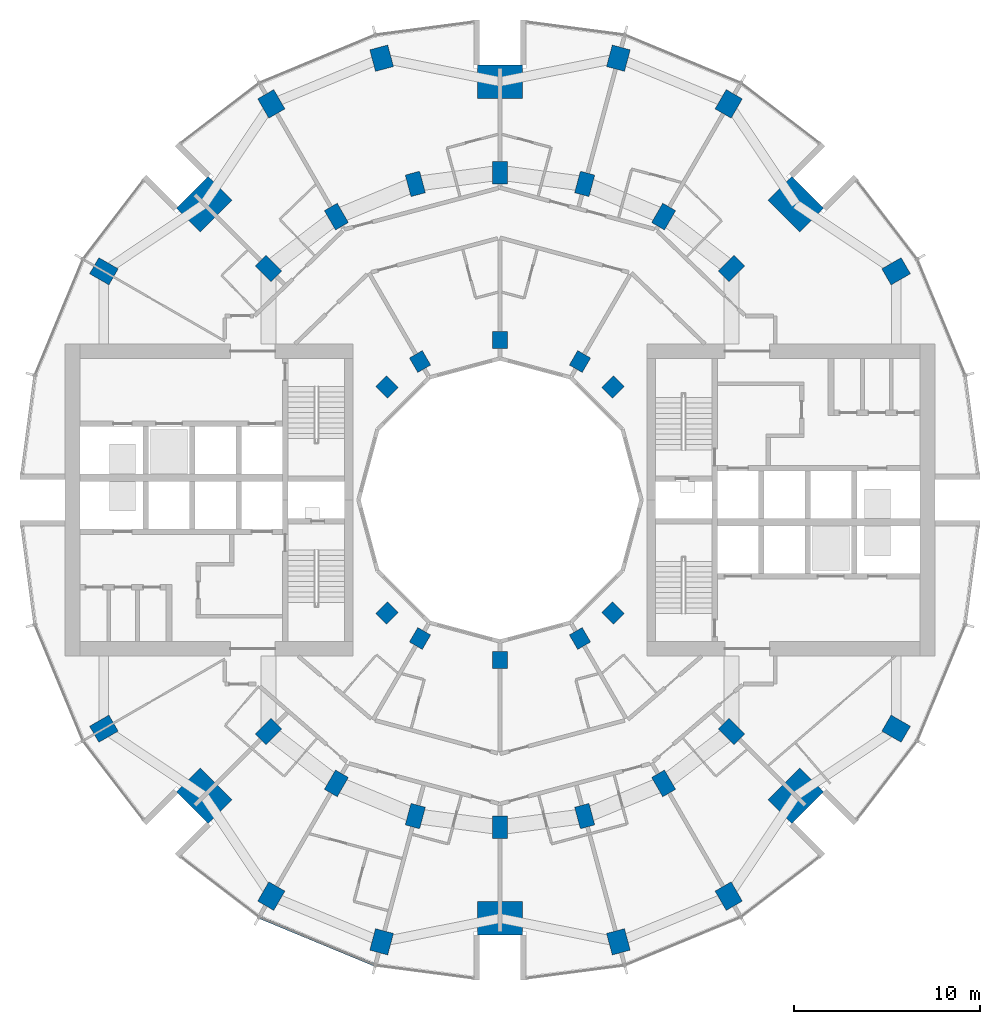
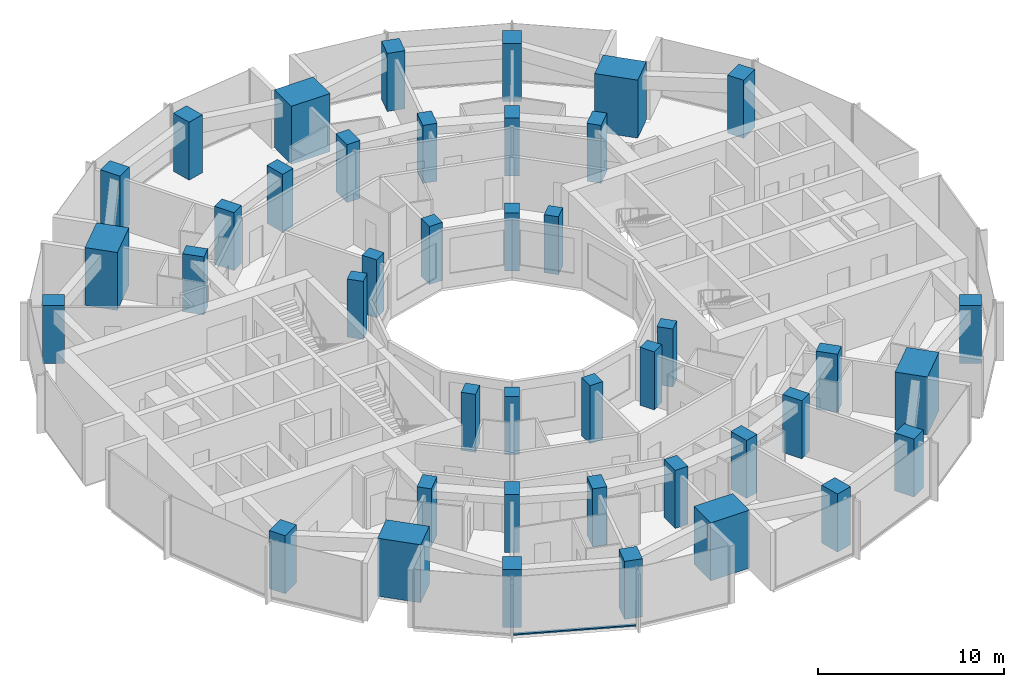
# One storey, part 1 of 15: 42 columns, 1 member, 1 element without a shape of its own.
"""IFC4 building model written with IfcOpenShell, lengths in metres."""

import ifcopenshell
import ifcopenshell.guid

model = None  # the IFC model being written
_history = None  # IfcOwnerHistory: only IFC2X3 demands one
_inside = {}  # id of a spatial element -> (the spatial element, [elements in it])
_under = {}  # id of a project, library or spatial element -> (it, [spatial elements below it])
_declared = {}  # id of a project -> (the project, [libraries it declares])
_typed = {}  # id of a type object -> (the type object, [elements of that type])
_made_of = {}  # id of a material, layer set ... -> (it, [elements and type objects made of it])


def new_model(schema):
    """Start an empty IFC model of exactly this schema.

    Asked for "IFC4X3", IfcOpenShell would pick the latest addendum, in which some entities
    have other attributes; the version numbers below select the first issue.
    IFC2X3 requires an IfcOwnerHistory on every rooted entity: one is made here for all.
    """
    global model, _history
    if schema == "IFC4X3":
        model = ifcopenshell.file(schema_version=(4, 3, 0, 0))
    else:
        model = ifcopenshell.file(schema=schema)
    _inside.clear()
    _under.clear()
    _declared.clear()
    _typed.clear()
    _made_of.clear()
    _history = None
    if model.schema == "IFC2X3":
        org = make("IfcOrganization", Name="unknown")
        user = make(
            "IfcPersonAndOrganization",
            ThePerson=make("IfcPerson", FamilyName="unknown"),
            TheOrganization=org,
        )
        app = make(
            "IfcApplication",
            ApplicationDeveloper=org,
            Version="unknown",
            ApplicationFullName="unknown",
            ApplicationIdentifier="unknown",
        )
        _history = make(
            "IfcOwnerHistory",
            OwningUser=user,
            OwningApplication=app,
            ChangeAction="ADDED",
            CreationDate=0,
        )
    return model


def make(cls, **values):
    """One entity of the class cls with the attributes given. An attribute that is None is left unset."""
    return model.create_entity(
        cls, **{name: value for name, value in values.items() if value is not None}
    )


def rooted(cls, **values):
    """An entity with a GlobalId (a new one), such as an element, a storey or a relation."""
    return make(cls, GlobalId=ifcopenshell.guid.new(), OwnerHistory=_history, **values)


def si_unit(unit_type, name, prefix=None):
    """IfcSIUnit, for example si_unit("LENGTHUNIT", "METRE", prefix="MILLI")."""
    return make("IfcSIUnit", UnitType=unit_type, Prefix=prefix, Name=name)


def assignment(units):
    """IfcUnitAssignment: the units of a project."""
    return None if units is None else make("IfcUnitAssignment", Units=units)


def point(xyz):
    """IfcCartesianPoint."""
    return None if xyz is None else make("IfcCartesianPoint", Coordinates=xyz)


def direction(xyz):
    """IfcDirection."""
    return None if xyz is None else make("IfcDirection", DirectionRatios=xyz)


def frame(location, z_axis=None, x_axis=None):
    """IfcAxis2Placement3D, a coordinate frame: its origin and axes. An axis left out is left unset."""
    return make(
        "IfcAxis2Placement3D",
        Location=point(location),
        Axis=direction(z_axis),
        RefDirection=direction(x_axis),
    )


def frame_2d(location, x_axis=None):
    """IfcAxis2Placement2D, a coordinate frame in the plane: its origin and x axis."""
    return make(
        "IfcAxis2Placement2D", Location=point(location), RefDirection=direction(x_axis)
    )


def origin():
    """The frame at (0, 0, 0) with its axes left unset."""
    return frame((0.0, 0.0, 0.0))


def origin_2d():
    """The frame at (0, 0) in the plane with its x axis left unset."""
    return frame_2d((0.0, 0.0))


def place(relative_to, where):
    """IfcLocalPlacement: puts the frame where relative to a parent placement (None: the world)."""
    return make(
        "IfcLocalPlacement", PlacementRelTo=relative_to, RelativePlacement=where
    )


def context(
    kind, dimensions, precision=None, world=None, true_north=None, identifier=None
):
    """IfcGeometricRepresentationContext, for example the 3D "Model" context."""
    return make(
        "IfcGeometricRepresentationContext",
        ContextIdentifier=identifier,
        ContextType=kind,
        CoordinateSpaceDimension=dimensions,
        Precision=precision,
        WorldCoordinateSystem=world,
        TrueNorth=true_north,
    )


def subcontext(parent, identifier, kind, view, scale=None):
    """IfcGeometricRepresentationSubContext, for example "Body" below "Model"."""
    return make(
        "IfcGeometricRepresentationSubContext",
        ContextIdentifier=identifier,
        ContextType=kind,
        ParentContext=parent,
        TargetScale=scale,
        TargetView=view,
    )


def project(units=None, contexts=None):
    """IfcProject with its units and contexts."""
    return rooted(
        "IfcProject",
        Name="project",
        RepresentationContexts=contexts,
        UnitsInContext=assignment(units),
    )


def spatial(cls, under=None, at=None, **own):
    """A site, building, storey or space (cls), placed at a placement, below another one or the project."""
    s = rooted(cls, ObjectPlacement=at, **own)
    if under is not None:
        _under.setdefault(under.id(), (under, []))[1].append(s)
    return s


def profile(cls, at=None, kind="AREA", **sizes):
    """A parametric profile (cls). Its sizes go by their IFC names, for example OverallWidth=200.0."""
    return make(cls, ProfileType=kind, Position=at, **sizes)


def rectangle(**sizes):
    """IfcRectangleProfileDef."""
    return profile("IfcRectangleProfileDef", **sizes)


def extrude(swept, where, along, depth):
    """IfcExtrudedAreaSolid: the profile swept, set in the frame where, extruded along a direction by depth."""
    return make(
        "IfcExtrudedAreaSolid",
        SweptArea=swept,
        Position=where,
        ExtrudedDirection=direction(along),
        Depth=depth,
    )


def shape(context_of_items, identifier, shape_type, items):
    """IfcShapeRepresentation: the items that make up one representation, for example the "Body"."""
    return make(
        "IfcShapeRepresentation",
        ContextOfItems=context_of_items,
        RepresentationIdentifier=identifier,
        RepresentationType=shape_type,
        Items=items,
    )


def material(Name=None, Category=None):
    """IfcMaterial."""
    return make("IfcMaterial", Name=Name, Category=Category)


def layer(
    of_material, thickness, ventilated=None, Name=None, Category=None, Priority=None
):
    """IfcMaterialLayer: one layer of a wall or slab, of a material (None: an air gap)."""
    return make(
        "IfcMaterialLayer",
        Material=of_material,
        LayerThickness=thickness,
        IsVentilated=ventilated,
        Name=Name,
        Category=Category,
        Priority=Priority,
    )


def layer_set(layers, Name=None):
    """IfcMaterialLayerSet."""
    return make("IfcMaterialLayerSet", MaterialLayers=layers, LayerSetName=Name)


def material_profile(
    of_material, cross_section, Name=None, Category=None, Priority=None
):
    """IfcMaterialProfile: a cross section and its material."""
    return make(
        "IfcMaterialProfile",
        Name=Name,
        Material=of_material,
        Profile=cross_section,
        Priority=Priority,
        Category=Category,
    )


def profile_set(profiles, Name=None, composite=None):
    """IfcMaterialProfileSet."""
    return make(
        "IfcMaterialProfileSet",
        Name=Name,
        MaterialProfiles=profiles,
        CompositeProfile=composite,
    )


def made_of(thing, what):
    """Note that an element or type object is made of a material, layer set ...; save() writes the relation."""
    if what is not None:
        _made_of.setdefault(what.id(), (what, []))[1].append(thing)
    return thing


def type_object(cls, material=None, **own):
    """A type object (cls), such as IfcWallType, which elements share."""
    return made_of(rooted(cls, **own), material)


def element(
    cls,
    number,
    at=None,
    inside=None,
    cuts=None,
    type_object=None,
    material=None,
    context=None,
    identifier="Body",
    shape_type=None,
    held_by="IfcProductDefinitionShape",
    body=None,
    shapes=None,
    **own,
):
    """One element of the class cls, such as IfcWall. Its Tag is "e" and its number.

    at: its placement. inside: the storey or other place that contains it. cuts: it is an
    opening in that element (IfcRelVoidsElement). A single representation is given by context,
    identifier, shape_type and body (its items); several are given by shapes. held_by: the class
    of the entity that holds the representations. save() writes the other relations.
    """
    e = rooted(cls, Tag="e%d" % number, ObjectPlacement=at, **own)
    if body is not None:
        shapes = [shape(context, identifier, shape_type, body)]
    if shapes is not None:
        e.Representation = make(held_by, Representations=shapes)
    if inside is not None:
        _inside.setdefault(inside.id(), (inside, []))[1].append(e)
    if cuts is not None:
        rooted(
            "IfcRelVoidsElement", RelatingBuildingElement=cuts, RelatedOpeningElement=e
        )
    if type_object is not None:
        _typed.setdefault(type_object.id(), (type_object, []))[1].append(e)
    return made_of(e, material)


def aggregate(whole, parts):
    """IfcRelAggregates: a whole, such as a stair, and the parts it consists of."""
    return rooted("IfcRelAggregates", RelatingObject=whole, RelatedObjects=parts)


def save(model, path):
    """Write the relations noted so far, then the file.

    IfcRelAggregates (storeys below a building ...), IfcRelContainedInSpatialStructure (elements
    in a storey), IfcRelDefinesByType, IfcRelAssociatesMaterial and IfcRelDeclares: one each for
    every whole, place, type object, material and project.
    """
    for whole, parts in _under.values():
        aggregate(whole, parts)
    for where, things in _inside.values():
        rooted(
            "IfcRelContainedInSpatialStructure",
            RelatedElements=things,
            RelatingStructure=where,
        )
    for kind, things in _typed.values():
        rooted("IfcRelDefinesByType", RelatedObjects=things, RelatingType=kind)
    for what, things in _made_of.values():
        rooted("IfcRelAssociatesMaterial", RelatedObjects=things, RelatingMaterial=what)
    for by, libraries in _declared.values():
        rooted("IfcRelDeclares", RelatingContext=by, RelatedDefinitions=libraries)
    model.write(path)


model = new_model("IFC4")

# Units and contexts
model_context = context("Model", 3, precision=1e-05, world=origin(), true_north=direction((0.0, 1.0)))
body_context = subcontext(model_context, "Body", "Model", "MODEL_VIEW")
ifc_project = project(units=[si_unit("LENGTHUNIT", "METRE"), si_unit("AREAUNIT", "SQUARE_METRE"), si_unit("VOLUMEUNIT", "CUBIC_METRE"), si_unit("PLANEANGLEUNIT", "RADIAN"), si_unit("MASSUNIT", "GRAM", prefix="KILO")], contexts=[model_context])

# Site, building, storey
site_placement = place(None, origin())
site = spatial("IfcSite", under=ifc_project, at=site_placement, CompositionType="ELEMENT")
building_placement = place(site_placement, origin())
building = spatial("IfcBuilding", under=site, at=building_placement, Name="Torre Brocal", CompositionType="ELEMENT")
storey_placement = place(building_placement, frame((0.0, 0.0, 59.199951171875)))
storey = spatial("IfcBuildingStorey", under=building, at=storey_placement, Name="L13", CompositionType="ELEMENT", Elevation=59.199951171875)

# Columns
ifc_material_1 = material(Name="Concrete C80", Category="concrete")
ifc_material_profile_1 = material_profile(ifc_material_1, rectangle(XDim=1.199951171875, YDim=1.0, at=origin_2d()), Name="RC 1200X1000")
ifc_profile_set_1 = profile_set([ifc_material_profile_1], Name="Concrete C80")
column_type_1 = type_object("IfcColumnType", Name="RC COLUMN 1200X1000 C80", PredefinedType="COLUMN", material=ifc_profile_set_1)
for number, where, z_axis, x_axis, name in (
    (1, (101.30419921875, 87.300048828125, 0.0), (0.0, 0.0, 1.0), (0.866025403784, 0.5, 0.0), "Column C-O02"),
    (2, (92.300048828125, 96.30419921875, 0.0), (0.0, 0.0, 1.0), (0.5, 0.866025403784, 0.0), "Column C-O04"),
    (3, (86.366943359375, 98.76171875, 0.0), (0.0, 0.0, 1.0), (0.258819045103, 0.965925826289, 0.0), "Column C-O05"),
    (4, (73.633056640625, 98.76171875, 0.0), (0.0, 0.0, 1.0), (-0.258819045103, 0.965925826289, 0.0), "Column C-O07"),
    (5, (67.699951171875, 96.30419921875, 0.0), (0.0, 0.0, 1.0), (-0.5, 0.866025403784, 0.0), "Column C-O08"),
    (6, (58.69580078125, 87.300048828125, 0.0), (0.0, 0.0, 1.0), (-0.866025403784, 0.5, 0.0), "Column C-O10"),
    (7, (58.69580078125, 62.699951171875, 0.0), (0.0, 0.0, 1.0), (-0.866025403784, -0.5, 0.0), "Column C-O14"),
    (8, (67.699951171875, 53.69580078125, 0.0), (0.0, 0.0, 1.0), (-0.5, -0.866025403784, 0.0), "Column C-O16"),
    (9, (73.633056640625, 51.23828125, 0.0), (0.0, 0.0, 1.0), (-0.258819045103, -0.965925826289, 0.0), "Column C-O17"),
    (10, (86.366943359375, 51.23828125, 0.0), (0.0, 0.0, 1.0), (0.258819045103, -0.965925826289, 0.0), "Column C-O19"),
    (11, (92.300048828125, 53.69580078125, 0.0), (0.0, 0.0, 1.0), (0.5, -0.866025403784, 0.0), "Column C-O20"),
    (12, (101.30419921875, 62.699951171875, 0.0), (0.0, 0.0, 1.0), (0.866025403784, -0.5, 0.0), "Column C-O22"),
):
    element("IfcColumn", number, at=place(storey_placement, frame(where, z_axis=z_axis, x_axis=x_axis)), inside=storey, type_object=column_type_1, Name=name, PredefinedType="COLUMN", context=body_context, shape_type="SweptSolid", body=[
        extrude(rectangle(XDim=1.199951171875, YDim=1.0, at=origin_2d()), origin(), (0.0, 0.0, 1.0), 3.800048828125),
    ])
ifc_material_2 = material(Name="Concrete C80", Category="concrete")
ifc_material_profile_2 = material_profile(ifc_material_2, rectangle(XDim=1.199951171875, YDim=0.800048828125, at=origin_2d()), Name="RC 1200X800")
ifc_profile_set_2 = profile_set([ifc_material_profile_2], Name="Concrete C80")
column_type_2 = type_object("IfcColumnType", Name="RC COLUMN 1200X800 C80", PredefinedType="COLUMN", material=ifc_profile_set_2)
for number, where, z_axis, x_axis, name in (
    (13, (92.445068359375, 87.445068359375, 0.0), (0.0, 0.0, 1.0), (0.707106781187, 0.707106781187, 0.0), "Column C-M03"),
    (14, (88.800048828125, 90.241943359375, 0.0), (0.0, 0.0, 1.0), (0.5, 0.866025403784, 0.0), "Column C-M04"),
    (15, (84.55517578125, 92.000244140625, 0.0), (0.0, 0.0, 1.0), (0.258819045103, 0.965925826289, 0.0), "Column C-M05"),
    (16, (80.0, 92.60009765625, 0.0), (0.0, 0.0, 1.0), (0.0, 1.0, 0.0), "Column C-M06"),
    (17, (75.44482421875, 92.000244140625, 0.0), (0.0, 0.0, 1.0), (-0.258819045103, 0.965925826289, 0.0), "Column C-M07"),
    (18, (71.199951171875, 90.241943359375, 0.0), (0.0, 0.0, 1.0), (-0.5, 0.866025403784, 0.0), "Column C-M08"),
    (19, (67.554931640625, 87.445068359375, 0.0), (0.0, 0.0, 1.0), (-0.707106781187, 0.707106781187, 0.0), "Column C-M09"),
    (20, (67.554931640625, 62.554931640625, 0.0), (0.0, 0.0, 1.0), (-0.707106781187, -0.707106781187, 0.0), "Column C-M15"),
    (21, (71.199951171875, 59.758056640625, 0.0), (0.0, 0.0, 1.0), (-0.5, -0.866025403784, 0.0), "Column C-M16"),
    (22, (75.44482421875, 57.999755859375, 0.0), (0.0, 0.0, 1.0), (-0.258819045103, -0.965925826289, 0.0), "Column C-M17"),
    (23, (80.0, 57.39990234375, 0.0), (0.0, 0.0, 1.0), (0.0, -1.0, 0.0), "Column C-M18"),
    (24, (84.55517578125, 57.999755859375, 0.0), (0.0, 0.0, 1.0), (0.258819045103, -0.965925826289, 0.0), "Column C-M19"),
    (25, (88.800048828125, 59.758056640625, 0.0), (0.0, 0.0, 1.0), (0.5, -0.866025403784, 0.0), "Column C-M20"),
    (26, (92.445068359375, 62.554931640625, 0.0), (0.0, 0.0, 1.0), (0.707106781187, -0.707106781187, 0.0), "Column C-M21"),
):
    element("IfcColumn", number, at=place(storey_placement, frame(where, z_axis=z_axis, x_axis=x_axis)), inside=storey, type_object=column_type_2, Name=name, PredefinedType="COLUMN", context=body_context, shape_type="SweptSolid", body=[
        extrude(rectangle(XDim=1.199951171875, YDim=0.800048828125, at=origin_2d()), origin(), (0.0, 0.0, 1.0), 3.800048828125),
    ])
ifc_material_3 = material(Name="Concrete C80", Category="concrete")
ifc_material_profile_3 = material_profile(ifc_material_3, rectangle(XDim=1.800048828125, YDim=2.39990234375, at=origin_2d()), Name="RC 1800X2400")
ifc_profile_set_3 = profile_set([ifc_material_profile_3], Name="Concrete C80")
column_type_3 = type_object("IfcColumnType", Name="RC COLUMN 1800X2400 C80", PredefinedType="COLUMN", material=ifc_profile_set_3)
for number, where, z_axis, x_axis, name in (
    (27, (95.909912109375, 90.909912109375, 0.0), (0.0, 0.0, 1.0), (0.707106781187, 0.707106781187, 0.0), "Column MC-1"),
    (28, (80.0, 97.5, 0.0), (0.0, 0.0, 1.0), (0.0, 1.0, 0.0), "Column MC-2"),
    (29, (64.090087890625, 90.909912109375, 0.0), (0.0, 0.0, 1.0), (-0.707106781187, 0.707106781187, 0.0), "Column MC-3"),
    (30, (64.090087890625, 59.090087890625, 0.0), (0.0, 0.0, 1.0), (-0.707106781187, -0.707106781187, 0.0), "Column MC-5"),
    (31, (80.0, 52.5, 0.0), (0.0, 0.0, 1.0), (0.0, -1.0, 0.0), "Column MC-6"),
    (32, (95.909912109375, 59.090087890625, 0.0), (0.0, 0.0, 1.0), (0.707106781187, -0.707106781187, 0.0), "Column MC-7"),
):
    element("IfcColumn", number, at=place(storey_placement, frame(where, z_axis=z_axis, x_axis=x_axis)), inside=storey, type_object=column_type_3, Name=name, PredefinedType="COLUMN", context=body_context, shape_type="SweptSolid", body=[
        extrude(rectangle(XDim=1.800048828125, YDim=2.39990234375, at=origin_2d()), origin(), (0.0, 0.0, 1.0), 3.800048828125),
    ])
ifc_material_4 = material(Name="Concrete C80", Category="concrete")
ifc_material_profile_4 = material_profile(ifc_material_4, rectangle(XDim=0.89990234375, YDim=0.800048828125, at=origin_2d()), Name="RC 900X800")
ifc_profile_set_4 = profile_set([ifc_material_profile_4], Name="Concrete C80")
column_type_4 = type_object("IfcColumnType", Name="RC COLUMN 900X800 C80", PredefinedType="COLUMN", material=ifc_profile_set_4)
for number, where, z_axis, x_axis, name in (
    (33, (86.0810546875, 81.0810546875, 0.0), (0.0, 0.0, 1.0), (0.707106781187, 0.707106781187, 0.0), "Column C-I03"),
    (34, (84.300048828125, 82.44775390625, 0.0), (0.0, 0.0, 1.0), (0.5, 0.866025403784, 0.0), "Column C-I04"),
    (35, (80.0, 83.60009765625, 0.0), (0.0, 0.0, 1.0), (0.0, 1.0, 0.0), "Column C-I06"),
    (36, (75.699951171875, 82.44775390625, 0.0), (0.0, 0.0, 1.0), (-0.5, 0.866025403784, 0.0), "Column C-I08"),
    (37, (73.9189453125, 81.0810546875, 0.0), (0.0, 0.0, 1.0), (-0.707106781187, 0.707106781187, 0.0), "Column C-I09"),
    (38, (73.9189453125, 68.9189453125, 0.0), (0.0, 0.0, 1.0), (-0.707106781187, -0.707106781187, 0.0), "Column C-I15"),
    (39, (75.699951171875, 67.55224609375, 0.0), (0.0, 0.0, 1.0), (-0.5, -0.866025403784, 0.0), "Column C-I16"),
    (40, (80.0, 66.39990234375, 0.0), (0.0, 0.0, 1.0), (0.0, -1.0, 0.0), "Column C-I18"),
    (41, (84.300048828125, 67.55224609375, 0.0), (0.0, 0.0, 1.0), (0.5, -0.866025403784, 0.0), "Column C-I20"),
    (42, (86.0810546875, 68.9189453125, 0.0), (0.0, 0.0, 1.0), (0.707106781187, -0.707106781187, 0.0), "Column C-I21"),
):
    element("IfcColumn", number, at=place(storey_placement, frame(where, z_axis=z_axis, x_axis=x_axis)), inside=storey, type_object=column_type_4, Name=name, PredefinedType="COLUMN", context=body_context, shape_type="SweptSolid", body=[
        extrude(rectangle(XDim=0.89990234375, YDim=0.800048828125, at=origin_2d()), origin(), (0.0, 0.0, 1.0), 3.800048828125),
    ])

# Curtain wall, member
ifc_material_5 = material(Name="Aluminium and glass", Category="aluminium")
ifc_layer = layer(ifc_material_5, 0.199951171875)
ifc_layer_set = layer_set([ifc_layer], Name="Aluminium and glass")
curtain_wall_type = type_object("IfcCurtainWallType", Name="CW-1 CURTAIN WALL 3800 HIGH", PredefinedType="NOTDEFINED", material=ifc_layer_set)
curtain_wall_placement = place(storey_placement, origin())
curtain_wall = element("IfcCurtainWall", 43, at=curtain_wall_placement, inside=storey, type_object=curtain_wall_type, Name="CW-1 RUN 17", PredefinedType="NOTDEFINED")
ifc_material_6 = material(Name="Aluminium, dark anodised", Category="aluminium")
ifc_material_profile_5 = material_profile(ifc_material_6, rectangle(XDim=0.159912109375, YDim=0.080078125, at=origin_2d()), Name="CW-1 TRANSOM 160X80")
ifc_profile_set_5 = profile_set([ifc_material_profile_5], Name="Aluminium, dark anodised")
member_type = type_object("IfcMemberType", Name="CW-1 TRANSOM 160X80", PredefinedType="USERDEFINED", material=ifc_profile_set_5)
member_placement = place(storey_placement, frame((67.10595703125, 52.547607421875, 0.0400390625), z_axis=(0.923887344364, -0.38266457234, 0.0), x_axis=(0.38266457234, 0.923887344364, 0.0)))
member = element("IfcMember", 44, at=member_placement, type_object=member_type, Name="CW1-1 transom 1.1", ObjectType="TRANSOM", PredefinedType="USERDEFINED", context=body_context, shape_type="SweptSolid", body=[
    extrude(rectangle(XDim=0.159912109375, YDim=0.080078125, at=origin_2d()), origin(), (0.0, 0.0, 1.0), 6.640869140625),
])
aggregate(curtain_wall, [member])

save(model, "model.ifc")
